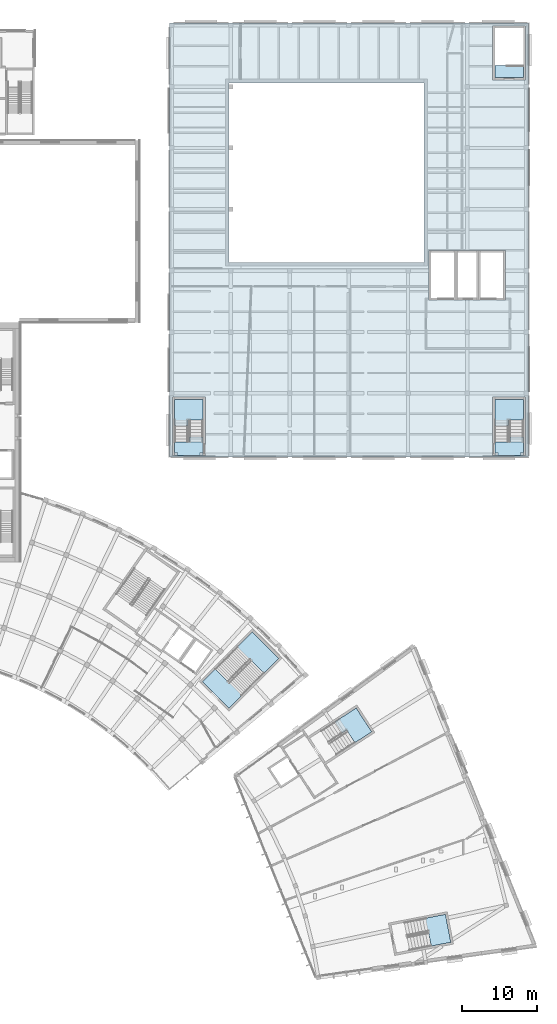
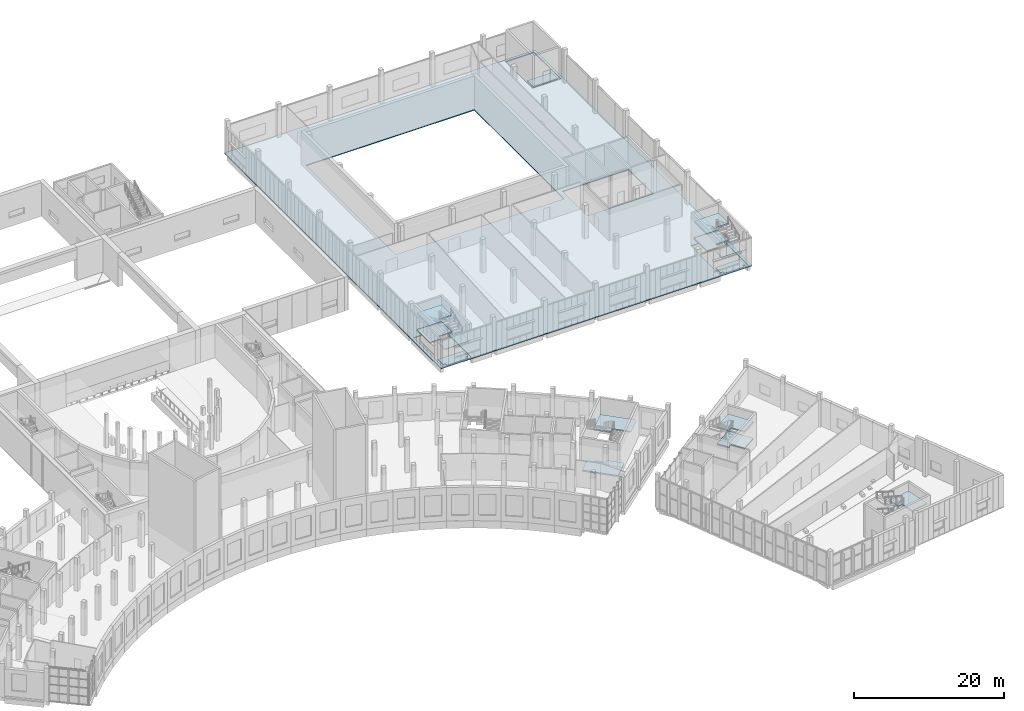
# One storey, part 30 of 87: 15 slabs, 5 elements without a shape of their own.
"""IFC4 building model written with IfcOpenShell, lengths in metres."""

from ifc_helpers import new_model, si_unit, direction, frame, origin, place, context, subcontext, project, spatial, polyline, outline, extrude, material, layer, layer_set, type_object, element, aggregate, save


model = new_model("IFC4")

# Units and contexts
model_context = context("Model", 3, precision=1e-05, world=origin(), true_north=direction((0.0, 1.0)))
body_context = subcontext(model_context, "Body", "Model", "MODEL_VIEW")
ifc_project = project(units=[si_unit("LENGTHUNIT", "METRE"), si_unit("AREAUNIT", "SQUARE_METRE"), si_unit("VOLUMEUNIT", "CUBIC_METRE"), si_unit("PLANEANGLEUNIT", "RADIAN"), si_unit("MASSUNIT", "GRAM", prefix="KILO")], contexts=[model_context])

# Site, building, storey
site_placement = place(None, origin())
site = spatial("IfcSite", under=ifc_project, at=site_placement, CompositionType="ELEMENT")
building_placement = place(site_placement, origin())
building = spatial("IfcBuilding", under=site, at=building_placement, Name="Lunette Opera House", CompositionType="ELEMENT")
storey_placement = place(building_placement, frame((0.0, 0.0, 11.5)))
storey = spatial("IfcBuildingStorey", under=building, at=storey_placement, Name="L02", CompositionType="ELEMENT", Elevation=11.5)

# Slabs
ifc_material_1 = material(Name="Concrete C35/45", Category="concrete")
ifc_layer_1 = layer(ifc_material_1, 0.199951171875)
ifc_layer_set_1 = layer_set([ifc_layer_1], Name="Concrete C35/45")
slab_type_1 = type_object("IfcSlabType", Name="CORE LANDING SLAB 200", PredefinedType="LANDING", material=ifc_layer_set_1)
slab_1_placement = place(storey_placement, frame((0.0, 0.0, -0.199951171875)))
element("IfcSlab", 1, at=slab_1_placement, inside=storey, type_object=slab_type_1, Name="ST18 floor landing", PredefinedType="LANDING", context=body_context, shape_type="SweptSolid", body=[
    extrude(outline(polyline([(136.699951171875, 78.199951171875), (136.699951171875, 80.0), (140.5, 80.0), (140.5, 78.60009765625), (140.10009765625, 78.60009765625), (140.10009765625, 78.199951171875), (137.10009765625, 78.199951171875), (137.10009765625, 78.60009765625), (136.699951171875, 78.60009765625), (136.699951171875, 78.199951171875)])), origin(), (0.0, 0.0, 1.0), 0.199951171875),
])
slab_2_placement = place(storey_placement, frame((0.0, 0.0, -0.199951171875)))
element("IfcSlab", 2, at=slab_2_placement, inside=storey, type_object=slab_type_1, Name="ST19 floor landing", PredefinedType="LANDING", context=body_context, shape_type="SweptSolid", body=[
    extrude(outline(polyline([(183.300048828125, 130.300048828125), (183.300048828125, 128.699951171875), (179.5, 128.699951171875), (179.5, 130.31005859375), (181.10009765625, 130.31005859375), (181.10009765625, 130.300048828125), (183.300048828125, 130.300048828125)])), origin(), (0.0, 0.0, 1.0), 0.199951171875),
])
slab_3_placement = place(storey_placement, frame((0.0, 0.0, -0.199951171875)))
element("IfcSlab", 3, at=slab_3_placement, inside=storey, type_object=slab_type_1, Name="ST20 floor landing", PredefinedType="LANDING", context=body_context, shape_type="SweptSolid", body=[
    extrude(outline(polyline([(179.5, 80.0), (183.300048828125, 80.0), (183.300048828125, 78.199951171875), (183.300048828125, 78.60009765625), (182.89990234375, 78.60009765625), (182.89990234375, 78.199951171875), (179.89990234375, 78.199951171875), (179.89990234375, 78.60009765625), (179.5, 78.60009765625), (179.5, 80.0)])), origin(), (0.0, 0.0, 1.0), 0.199951171875),
])
ifc_material_2 = material(Name="Concrete C35/45", Category="concrete")
ifc_layer_2 = layer(ifc_material_2, 0.219970703125)
ifc_layer_set_2 = layer_set([ifc_layer_2], Name="Concrete C35/45")
slab_type_2 = type_object("IfcSlabType", Name="CORE LANDING SLAB 220", PredefinedType="LANDING", material=ifc_layer_set_2)
slab_4_placement = place(storey_placement, frame((0.0, 0.0, -0.219970703125)))
element("IfcSlab", 4, at=slab_4_placement, inside=storey, type_object=slab_type_2, Name="ST4 floor landing", PredefinedType="LANDING", context=body_context, shape_type="SweptSolid", body=[
    extrude(outline(polyline([(140.44091796875, 47.97705078125), (142.14501953125, 49.680908203125), (143.842041015625, 47.98388671875), (143.8349609375, 47.97705078125), (143.97705078125, 47.8349609375), (144.471923828125, 48.330078125), (146.1689453125, 46.633056640625), (143.97705078125, 44.44091796875), (140.44091796875, 47.97705078125)])), origin(), (0.0, 0.0, 1.0), 0.219970703125),
])
ifc_material_3 = material(Name="Concrete C35/45", Category="concrete")
ifc_layer_3 = layer(ifc_material_3, 0.14990234375)
ifc_layer_set_3 = layer_set([ifc_layer_3], Name="Concrete C35/45")
slab_type_3 = type_object("IfcSlabType", Name="FLOOR SLAB 150", PredefinedType="FLOOR", material=ifc_layer_set_3)
slab_5_placement = place(storey_placement, frame((0.0, 0.0, -0.14990234375)))
element("IfcSlab", 5, at=slab_5_placement, inside=storey, type_object=slab_type_3, Name="slab-WW-L02-F1", PredefinedType="FLOOR", context=body_context, shape_type="SweptSolid", body=[
    extrude(outline(polyline([(136.0, 136.0), (136.0, 78.0), (184.0, 78.0), (184.0, 136.0), (136.0, 136.0)]), holes=[polyline([(144.0, 128.0), (170.0, 128.0), (170.0, 104.0), (144.0, 104.0), (144.0, 128.0)]), polyline([(136.39990234375, 78.199951171875), (136.39990234375, 86.0), (140.800048828125, 86.0), (140.800048828125, 78.199951171875), (136.39990234375, 78.199951171875)]), polyline([(179.199951171875, 86.0), (183.60009765625, 86.0), (183.60009765625, 78.199951171875), (179.199951171875, 78.199951171875), (179.199951171875, 86.0)]), polyline([(170.699951171875, 105.60009765625), (174.300048828125, 105.60009765625), (177.300048828125, 105.60009765625), (180.89990234375, 105.60009765625), (180.89990234375, 99.0), (177.300048828125, 99.0), (174.300048828125, 99.0), (170.699951171875, 99.0), (170.699951171875, 105.60009765625)]), polyline([(179.199951171875, 135.60009765625), (183.60009765625, 135.60009765625), (183.60009765625, 128.39990234375), (179.199951171875, 128.39990234375), (179.199951171875, 135.60009765625)])]), origin(), (0.0, 0.0, 1.0), 0.14990234375),
])

# Stair, slabs
ifc_material_4 = material(Name="Concrete C35/45", Category="concrete")
stair_type_1 = type_object("IfcStairType", Name="DOGLEG STAIR 1800", PredefinedType="HALF_TURN_STAIR", material=ifc_material_4)
stair_1_placement = place(storey_placement, origin())
stair_1 = element("IfcStair", 6, at=stair_1_placement, inside=storey, type_object=stair_type_1, Name="L02 stair ST18", PredefinedType="HALF_TURN_STAIR")
ifc_material_5 = material(Name="Concrete C35/45", Category="concrete")
ifc_layer_4 = layer(ifc_material_5, 0.199951171875)
ifc_layer_set_4 = layer_set([ifc_layer_4], Name="Concrete C35/45")
slab_type_4 = type_object("IfcSlabType", Name="STAIR LANDING SLAB 200", PredefinedType="LANDING", material=ifc_layer_set_4)
slab_6_placement = place(storey_placement, frame((0.0, 0.0, 1.175048828125)))
slab_6 = element("IfcSlab", 7, at=slab_6_placement, type_object=slab_type_4, Name="ST18 landing 1", PredefinedType="LANDING", context=body_context, shape_type="SweptSolid", body=[
    extrude(outline(polyline([(140.5, 82.929931640625), (138.699951171875, 82.929931640625), (138.699951171875, 82.93994140625), (138.5, 82.93994140625), (138.5, 82.239990234375), (136.699951171875, 82.239990234375), (136.699951171875, 85.699951171875), (140.5, 85.699951171875), (140.5, 82.929931640625)])), origin(), (0.0, 0.0, 1.0), 0.199951171875),
])
slab_7_placement = place(storey_placement, frame((0.0, 0.0, 2.550048828125)))
slab_7 = element("IfcSlab", 8, at=slab_7_placement, type_object=slab_type_4, Name="ST18 landing 2", PredefinedType="LANDING", context=body_context, shape_type="SweptSolid", body=[
    extrude(outline(polyline([(136.699951171875, 78.199951171875), (136.699951171875, 80.010009765625), (138.5, 80.010009765625), (138.5, 80.0), (138.699951171875, 80.0), (138.699951171875, 80.699951171875), (140.5, 80.699951171875), (140.5, 78.199951171875), (136.699951171875, 78.199951171875)])), origin(), (0.0, 0.0, 1.0), 0.199951171875),
])
slab_8_placement = place(storey_placement, frame((0.0, 0.0, 3.925048828125)))
slab_8 = element("IfcSlab", 9, at=slab_8_placement, type_object=slab_type_4, Name="ST18 landing 3", PredefinedType="LANDING", context=body_context, shape_type="SweptSolid", body=[
    extrude(outline(polyline([(140.5, 82.929931640625), (138.699951171875, 82.929931640625), (138.699951171875, 82.93994140625), (138.5, 82.93994140625), (138.5, 82.239990234375), (136.699951171875, 82.239990234375), (136.699951171875, 85.699951171875), (140.5, 85.699951171875), (140.5, 82.929931640625)])), origin(), (0.0, 0.0, 1.0), 0.199951171875),
])
aggregate(stair_1, [slab_6, slab_7, slab_8])

stair_2_placement = place(storey_placement, origin())
stair_2 = element("IfcStair", 10, at=stair_2_placement, inside=storey, type_object=stair_type_1, Name="L02 stair ST20", PredefinedType="HALF_TURN_STAIR")
slab_9_placement = place(storey_placement, frame((0.0, 0.0, 1.175048828125)))
slab_9 = element("IfcSlab", 11, at=slab_9_placement, type_object=slab_type_4, Name="ST20 landing 1", PredefinedType="LANDING", context=body_context, shape_type="SweptSolid", body=[
    extrude(outline(polyline([(183.300048828125, 82.929931640625), (181.5, 82.929931640625), (181.5, 82.93994140625), (181.300048828125, 82.93994140625), (181.300048828125, 82.239990234375), (179.5, 82.239990234375), (179.5, 85.699951171875), (183.300048828125, 85.699951171875), (183.300048828125, 82.929931640625)])), origin(), (0.0, 0.0, 1.0), 0.199951171875),
])
slab_10_placement = place(storey_placement, frame((0.0, 0.0, 2.550048828125)))
slab_10 = element("IfcSlab", 12, at=slab_10_placement, type_object=slab_type_4, Name="ST20 landing 2", PredefinedType="LANDING", context=body_context, shape_type="SweptSolid", body=[
    extrude(outline(polyline([(179.5, 78.199951171875), (179.5, 80.010009765625), (181.300048828125, 80.010009765625), (181.300048828125, 80.0), (181.5, 80.0), (181.5, 80.699951171875), (183.300048828125, 80.699951171875), (183.300048828125, 78.199951171875), (179.5, 78.199951171875)])), origin(), (0.0, 0.0, 1.0), 0.199951171875),
])
slab_11_placement = place(storey_placement, frame((0.0, 0.0, 3.925048828125)))
slab_11 = element("IfcSlab", 13, at=slab_11_placement, type_object=slab_type_4, Name="ST20 landing 3", PredefinedType="LANDING", context=body_context, shape_type="SweptSolid", body=[
    extrude(outline(polyline([(183.300048828125, 82.929931640625), (181.5, 82.929931640625), (181.5, 82.93994140625), (181.300048828125, 82.93994140625), (181.300048828125, 82.239990234375), (179.5, 82.239990234375), (179.5, 85.699951171875), (183.300048828125, 85.699951171875), (183.300048828125, 82.929931640625)])), origin(), (0.0, 0.0, 1.0), 0.199951171875),
])
aggregate(stair_2, [slab_9, slab_10, slab_11])

stair_3_placement = place(storey_placement, origin())
stair_3 = element("IfcStair", 14, at=stair_3_placement, inside=storey, type_object=stair_type_1, Name="L02 stair ST21", PredefinedType="HALF_TURN_STAIR")
slab_12_placement = place(storey_placement, frame((0.0, 0.0, 1.175048828125)))
slab_12 = element("IfcSlab", 15, at=slab_12_placement, type_object=slab_type_4, Name="ST21 landing 1", PredefinedType="LANDING", context=body_context, shape_type="SweptSolid", body=[
    extrude(outline(polyline([(160.799072265625, 39.81494140625), (159.818115234375, 41.324951171875), (159.825927734375, 41.330078125), (159.717041015625, 41.498046875), (159.1298828125, 41.116943359375), (158.14990234375, 42.6259765625), (160.968994140625, 44.45703125), (163.0390625, 41.27001953125), (160.799072265625, 39.81494140625)])), origin(), (0.0, 0.0, 1.0), 0.199951171875),
])
slab_13_placement = place(storey_placement, frame((0.0, 0.0, 3.925048828125)))
slab_13 = element("IfcSlab", 16, at=slab_13_placement, type_object=slab_type_4, Name="ST21 landing 3", PredefinedType="LANDING", context=body_context, shape_type="SweptSolid", body=[
    extrude(outline(polyline([(160.799072265625, 39.81494140625), (159.818115234375, 41.324951171875), (159.825927734375, 41.330078125), (159.717041015625, 41.498046875), (159.1298828125, 41.116943359375), (158.14990234375, 42.6259765625), (160.968994140625, 44.45703125), (163.0390625, 41.27001953125), (160.799072265625, 39.81494140625)])), origin(), (0.0, 0.0, 1.0), 0.199951171875),
])
aggregate(stair_3, [slab_12, slab_13])

# Stair, slab
stair_4_placement = place(storey_placement, origin())
stair_4 = element("IfcStair", 17, at=stair_4_placement, inside=storey, type_object=stair_type_1, Name="L02 stair ST22", PredefinedType="HALF_TURN_STAIR")
slab_14_placement = place(storey_placement, frame((0.0, 0.0, 3.925048828125)))
slab_14 = element("IfcSlab", 18, at=slab_14_placement, type_object=slab_type_4, Name="ST22 landing 3", PredefinedType="LANDING", context=body_context, shape_type="SweptSolid", body=[
    extrude(outline(polyline([(173.616943359375, 13.15087890625), (170.9951171875, 12.64208984375), (170.652099609375, 14.408935546875), (170.662109375, 14.410888671875), (170.6240234375, 14.60693359375), (169.93701171875, 14.472900390625), (169.593017578125, 16.239990234375), (172.89208984375, 16.881103515625), (173.616943359375, 13.15087890625)])), origin(), (0.0, 0.0, 1.0), 0.199951171875),
])
aggregate(stair_4, [slab_14])

ifc_material_6 = material(Name="Concrete C35/45", Category="concrete")
stair_type_2 = type_object("IfcStairType", Name="DOGLEG STAIR 2400", PredefinedType="HALF_TURN_STAIR", material=ifc_material_6)
stair_5_placement = place(storey_placement, origin())
stair_5 = element("IfcStair", 19, at=stair_5_placement, inside=storey, type_object=stair_type_2, Name="L02 stair ST4", PredefinedType="HALF_TURN_STAIR")
slab_15_placement = place(storey_placement, frame((0.0, 0.0, 2.550048828125)))
slab_15 = element("IfcSlab", 20, at=slab_15_placement, type_object=slab_type_4, Name="ST4 landing 1", PredefinedType="LANDING", context=body_context, shape_type="SweptSolid", body=[
    extrude(outline(polyline([(148.636962890625, 49.10107421875), (146.93994140625, 50.798095703125), (146.947021484375, 50.804931640625), (146.804931640625, 50.947021484375), (146.31005859375, 50.451904296875), (144.613037109375, 52.14892578125), (147.087890625, 54.6240234375), (150.6240234375, 51.087890625), (148.636962890625, 49.10107421875)])), origin(), (0.0, 0.0, 1.0), 0.199951171875),
])
aggregate(stair_5, [slab_15])

save(model, "model.ifc")
